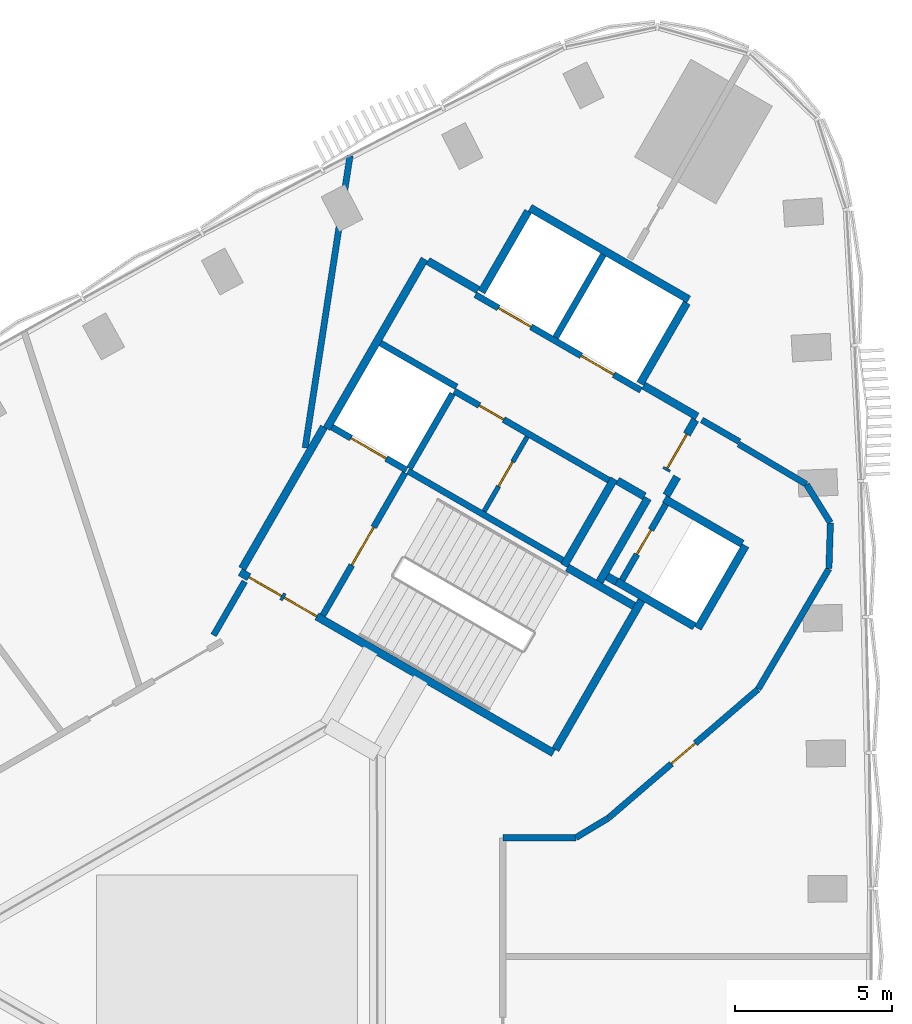
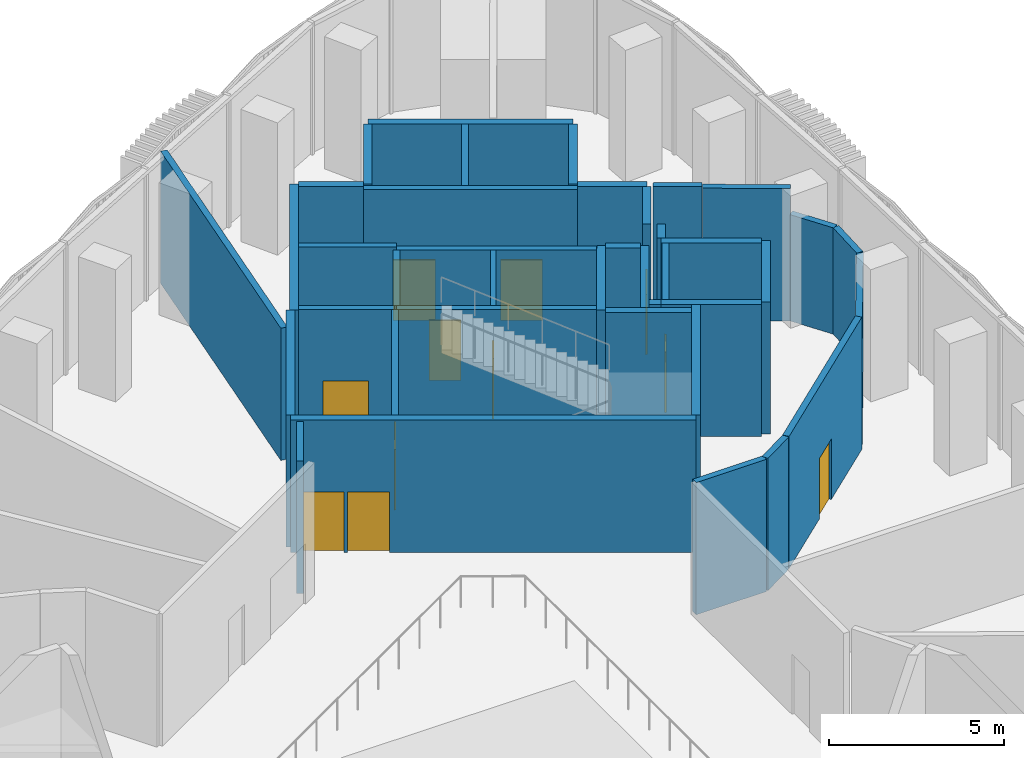
# One storey, part 10 of 17: 39 walls, 11 doors, 11 openings.
"""IFC4 building model written with IfcOpenShell, lengths in metres."""

from ifc_helpers import new_model, si_unit, direction, frame, frame_2d, origin, place, context, subcontext, project, spatial, rectangle, extrude, material, layer, layer_set, type_object, element, fill, save


model = new_model("IFC4")

# Units and contexts
model_context = context("Model", 3, precision=1e-05, world=origin(), true_north=direction((0.0, 1.0)))
body_context = subcontext(model_context, "Body", "Model", "MODEL_VIEW")
ifc_project = project(units=[si_unit("LENGTHUNIT", "METRE"), si_unit("AREAUNIT", "SQUARE_METRE"), si_unit("VOLUMEUNIT", "CUBIC_METRE"), si_unit("PLANEANGLEUNIT", "RADIAN"), si_unit("MASSUNIT", "GRAM", prefix="KILO")], contexts=[model_context])

# Site, building, storey
site_placement = place(None, origin())
site = spatial("IfcSite", under=ifc_project, at=site_placement, CompositionType="ELEMENT")
building_placement = place(site_placement, origin())
building = spatial("IfcBuilding", under=site, at=building_placement, Name="Tamra Quay Hotel Tower", CompositionType="ELEMENT")
storey_placement = place(building_placement, frame((0.0, 0.0, 123.800048828125)))
storey = spatial("IfcBuildingStorey", under=building, at=storey_placement, Name="L30", CompositionType="ELEMENT", Elevation=123.800048828125)

# Wall, openings, doors
ifc_material_1 = material(Name="Concrete M70", Category="concrete")
ifc_layer_1 = layer(ifc_material_1, 0.199951171875)
ifc_layer_set_1 = layer_set([ifc_layer_1], Name="Concrete M70 core wall 200")
wall_type_1 = type_object("IfcWallType", Name="Concrete M70 core wall 200", PredefinedType="SHEAR", material=ifc_layer_set_1)
wall_1_placement = place(storey_placement, frame((13.209716796875, 18.07958984375, 0.0), z_axis=(0.0, 0.0, 1.0), x_axis=(-0.866030299012, 0.499991521122, 0.0)))
wall_1 = element("IfcWall", 1, at=wall_1_placement, inside=storey, type_object=wall_type_1, Name="CW2", PredefinedType="SHEAR", context=body_context, shape_type="SweptSolid", body=[
    extrude(rectangle(XDim=6.10009765625, YDim=0.199951171875, at=frame_2d((3.050048828125, 0.0))), origin(), (0.0, 0.0, 1.0), 4.599853515625),
])
opening_1_placement = place(wall_1_placement, frame((1.0, 0.0, 0.0)))
opening_1 = element("IfcOpeningElement", 2, at=opening_1_placement, cuts=wall_1, Name="Opening LD", PredefinedType="OPENING", context=body_context, shape_type="SweptSolid", body=[
    extrude(rectangle(XDim=1.199951171875, YDim=2.10009765625, at=frame_2d((0.60009765625, 1.050048828125))), frame((0.0, 0.10986328125, 0.0), z_axis=(0.0, -1.0, 0.0), x_axis=(1.0, 0.0, 0.0)), (0.0, 0.0, 1.0), 0.219970703125),
])
opening_2_placement = place(wall_1_placement, frame((4.05029296875, 0.0, 0.0)))
opening_2 = element("IfcOpeningElement", 3, at=opening_2_placement, cuts=wall_1, Name="Opening LD", PredefinedType="OPENING", context=body_context, shape_type="SweptSolid", body=[
    extrude(rectangle(XDim=1.199951171875, YDim=2.10009765625, at=frame_2d((0.60009765625, 1.050048828125))), frame((0.0, 0.10986328125, 0.0), z_axis=(0.0, -1.0, 0.0), x_axis=(1.0, 0.0, 0.0)), (0.0, 0.0, 1.0), 0.219970703125),
])
ifc_material_2 = material(Name="Landing door LD 1200 double door sliding")
door_type_1 = type_object("IfcDoorType", Name="Landing door LD 1200 double door sliding", OperationType="DOUBLE_DOOR_SLIDING", PredefinedType="DOOR", material=ifc_material_2)
door_1_placement = place(opening_1_placement, origin())
door_1 = element("IfcDoor", 4, at=door_1_placement, inside=storey, type_object=door_type_1, Name="LD", OperationType="DOUBLE_DOOR_SLIDING", OverallHeight=2.10009765625, OverallWidth=1.199951171875, PredefinedType="DOOR", context=body_context, shape_type="SweptSolid", body=[
    extrude(rectangle(XDim=1.199951171875, YDim=2.10009765625, at=frame_2d((0.60009765625, 1.050048828125))), frame((0.0, 0.02490234375, 0.0), z_axis=(0.0, -1.0, 0.0), x_axis=(1.0, 0.0, 0.0)), (0.0, 0.0, 1.0), 0.050048828125),
])
fill(opening_1, door_1)
door_2_placement = place(opening_2_placement, origin())
door_2 = element("IfcDoor", 5, at=door_2_placement, inside=storey, type_object=door_type_1, Name="LD", OperationType="DOUBLE_DOOR_SLIDING", OverallHeight=2.10009765625, OverallWidth=1.199951171875, PredefinedType="DOOR", context=body_context, shape_type="SweptSolid", body=[
    extrude(rectangle(XDim=1.199951171875, YDim=2.10009765625, at=frame_2d((0.60009765625, 1.050048828125))), frame((0.0, 0.02490234375, 0.0), z_axis=(0.0, -1.0, 0.0), x_axis=(1.0, 0.0, 0.0)), (0.0, 0.0, 1.0), 0.050048828125),
])
fill(opening_2, door_2)

# Wall
wall_2_placement = place(storey_placement, frame((5.774658203125, 15.501953125, 0.0), z_axis=(0.0, 0.0, 1.0), x_axis=(0.866020080793, -0.500009219579, 0.0)))
element("IfcWall", 6, at=wall_2_placement, inside=storey, type_object=wall_type_1, Name="CW2", PredefinedType="SHEAR", context=body_context, shape_type="SweptSolid", body=[
    extrude(rectangle(XDim=5.69921875, YDim=0.199951171875, at=frame_2d((2.849609375, 0.0))), origin(), (0.0, 0.0, 1.0), 4.599853515625),
])

# Wall, opening, door
wall_3_placement = place(storey_placement, frame((12.18505859375, 15.20703125, 0.0), z_axis=(0.0, 0.0, 1.0), x_axis=(-0.866020080793, 0.500009219579, 0.0)))
wall_3 = element("IfcWall", 7, at=wall_3_placement, inside=storey, type_object=wall_type_1, Name="CW2", PredefinedType="SHEAR", context=body_context, shape_type="SweptSolid", body=[
    extrude(rectangle(XDim=5.69921875, YDim=0.199951171875, at=frame_2d((2.849609375, 0.0))), origin(), (0.0, 0.0, 1.0), 4.599853515625),
])
opening_3_placement = place(wall_3_placement, frame((3.8740234375, 0.0, 0.0)))
opening_3 = element("IfcOpeningElement", 8, at=opening_3_placement, cuts=wall_3, Name="Opening D2", PredefinedType="OPENING", context=body_context, shape_type="SweptSolid", body=[
    extrude(rectangle(XDim=0.89990234375, YDim=2.10009765625, at=frame_2d((0.449951171875, 1.050048828125))), frame((0.0, 0.10986328125, 0.0), z_axis=(0.0, -1.0, 0.0), x_axis=(1.0, 0.0, 0.0)), (0.0, 0.0, 1.0), 0.219970703125),
])
ifc_material_3 = material(Name="Core door D2 900x2100 LH")
door_type_2 = type_object("IfcDoorType", Name="Core door D2 900x2100 LH", OperationType="NOTDEFINED", PredefinedType="DOOR", material=ifc_material_3)
door_3_placement = place(opening_3_placement, origin())
door_3 = element("IfcDoor", 9, at=door_3_placement, inside=storey, type_object=door_type_2, Name="D2", OperationType="SINGLE_SWING_LEFT", OverallHeight=2.10009765625, OverallWidth=0.89990234375, PredefinedType="DOOR", context=body_context, shape_type="SweptSolid", body=[
    extrude(rectangle(XDim=0.89990234375, YDim=2.10009765625, at=frame_2d((0.449951171875, 1.050048828125))), frame((0.0, 0.02490234375, 0.0), z_axis=(0.0, -1.0, 0.0), x_axis=(1.0, 0.0, 0.0)), (0.0, 0.0, 1.0), 0.050048828125),
])
fill(opening_3, door_3)

wall_4_placement = place(storey_placement, frame((3.056640625, 10.89453125, 0.0), z_axis=(0.0, 0.0, 1.0), x_axis=(0.499989418164, 0.866031513124, 0.0)))
wall_4 = element("IfcWall", 10, at=wall_4_placement, inside=storey, type_object=wall_type_1, Name="CW2", PredefinedType="SHEAR", context=body_context, shape_type="SweptSolid", body=[
    extrude(rectangle(XDim=5.2509765625, YDim=0.199951171875, at=frame_2d((2.62548828125, 0.0))), origin(), (0.0, 0.0, 1.0), 4.599853515625),
])
opening_4_placement = place(wall_4_placement, frame((1.84912109375, 0.0, 0.0)))
opening_4 = element("IfcOpeningElement", 11, at=opening_4_placement, cuts=wall_4, Name="Opening FD2", PredefinedType="OPENING", context=body_context, shape_type="SweptSolid", body=[
    extrude(rectangle(XDim=1.39990234375, YDim=2.10009765625, at=frame_2d((0.699951171875, 1.050048828125))), frame((0.0, 0.10986328125, 0.0), z_axis=(0.0, -1.0, 0.0), x_axis=(1.0, 0.0, 0.0)), (0.0, 0.0, 1.0), 0.219970703125),
])
ifc_material_4 = material(Name="Core door FD2 1400x2100 RH")
door_type_3 = type_object("IfcDoorType", Name="Core door FD2 1400x2100 RH", OperationType="NOTDEFINED", PredefinedType="DOOR", material=ifc_material_4)
door_4_placement = place(opening_4_placement, origin())
door_4 = element("IfcDoor", 12, at=door_4_placement, inside=storey, type_object=door_type_3, Name="FD2", OperationType="SINGLE_SWING_RIGHT", OverallHeight=2.10009765625, OverallWidth=1.39990234375, PredefinedType="DOOR", context=body_context, shape_type="SweptSolid", body=[
    extrude(rectangle(XDim=1.39990234375, YDim=2.10009765625, at=frame_2d((0.699951171875, 1.050048828125))), frame((0.0, 0.02490234375, 0.0), z_axis=(0.0, -1.0, 0.0), x_axis=(1.0, 0.0, 0.0)), (0.0, 0.0, 1.0), 0.050048828125),
])
fill(opening_4, door_4)

# Wall
wall_5_placement = place(storey_placement, frame((10.48876953125, 19.76708984375, 0.0), z_axis=(0.0, 0.0, 1.0), x_axis=(0.499946628782, 0.866056215479, 0.0)))
element("IfcWall", 13, at=wall_5_placement, inside=storey, type_object=wall_type_1, Name="CW2", PredefinedType="SHEAR", context=body_context, shape_type="SweptSolid", body=[
    extrude(rectangle(XDim=3.048095703125, YDim=0.199951171875, at=frame_2d((1.52392578125, 0.0))), origin(), (0.0, 0.0, 1.0), 4.599853515625),
])

# Wall, opening, door
wall_6_placement = place(storey_placement, frame((14.0078125, 14.442138671875, 0.0), z_axis=(0.0, 0.0, 1.0), x_axis=(-0.499986818241, -0.866033014143, 0.0)))
wall_6 = element("IfcWall", 14, at=wall_6_placement, inside=storey, type_object=wall_type_1, Name="CW2", PredefinedType="SHEAR", context=body_context, shape_type="SweptSolid", body=[
    extrude(rectangle(XDim=2.7978515625, YDim=0.199951171875, at=frame_2d((1.39892578125, 0.0))), origin(), (0.0, 0.0, 1.0), 4.599853515625),
])
opening_5_placement = place(wall_6_placement, frame((0.948974609375, 0.0, 0.0)))
opening_5 = element("IfcOpeningElement", 15, at=opening_5_placement, cuts=wall_6, Name="Opening D1", PredefinedType="OPENING", context=body_context, shape_type="SweptSolid", body=[
    extrude(rectangle(XDim=0.89990234375, YDim=2.10009765625, at=frame_2d((0.449951171875, 1.050048828125))), frame((0.0, 0.10986328125, 0.0), z_axis=(0.0, -1.0, 0.0), x_axis=(1.0, 0.0, 0.0)), (0.0, 0.0, 1.0), 0.219970703125),
])
ifc_material_5 = material(Name="Core door D1 900x2100 RH")
door_type_4 = type_object("IfcDoorType", Name="Core door D1 900x2100 RH", OperationType="NOTDEFINED", PredefinedType="DOOR", material=ifc_material_5)
door_5_placement = place(opening_5_placement, origin())
door_5 = element("IfcDoor", 16, at=door_5_placement, inside=storey, type_object=door_type_4, Name="D1", OperationType="SINGLE_SWING_RIGHT", OverallHeight=2.10009765625, OverallWidth=0.89990234375, PredefinedType="DOOR", context=body_context, shape_type="SweptSolid", body=[
    extrude(rectangle(XDim=0.89990234375, YDim=2.10009765625, at=frame_2d((0.449951171875, 1.050048828125))), frame((0.0, 0.02490234375, 0.0), z_axis=(0.0, -1.0, 0.0), x_axis=(1.0, 0.0, 0.0)), (0.0, 0.0, 1.0), 0.050048828125),
])
fill(opening_5, door_5)

# Wall
wall_7_placement = place(storey_placement, frame((7.199462890625, 17.969970703125, 0.0), z_axis=(0.0, 0.0, 1.0), x_axis=(-0.499968400327, -0.866043647095, 0.0)))
element("IfcWall", 17, at=wall_7_placement, inside=storey, type_object=wall_type_1, Name="CW2", PredefinedType="SHEAR", context=body_context, shape_type="SweptSolid", body=[
    extrude(rectangle(XDim=2.749755859375, YDim=0.199951171875, at=frame_2d((1.375, 0.0))), origin(), (0.0, 0.0, 1.0), 4.599853515625),
])

# Wall, opening, door
wall_8_placement = place(storey_placement, frame((5.72509765625, 15.530517578125, 0.0), z_axis=(0.0, 0.0, 1.0), x_axis=(-0.866037306777, 0.499979382845, 0.0)))
wall_8 = element("IfcWall", 18, at=wall_8_placement, inside=storey, type_object=wall_type_1, Name="CW2", PredefinedType="SHEAR", context=body_context, shape_type="SweptSolid", body=[
    extrude(rectangle(XDim=2.74169921875, YDim=0.199951171875, at=frame_2d((1.370849609375, 0.0))), origin(), (0.0, 0.0, 1.0), 4.599853515625),
])
opening_6_placement = place(wall_8_placement, frame((0.742919921875, 0.0, 0.0)))
opening_6 = element("IfcOpeningElement", 19, at=opening_6_placement, cuts=wall_8, Name="Opening LD", PredefinedType="OPENING", context=body_context, shape_type="SweptSolid", body=[
    extrude(rectangle(XDim=1.300048828125, YDim=2.10009765625, at=frame_2d((0.64990234375, 1.050048828125))), frame((0.0, 0.10986328125, 0.0), z_axis=(0.0, -1.0, 0.0), x_axis=(1.0, 0.0, 0.0)), (0.0, 0.0, 1.0), 0.219970703125),
])
ifc_material_6 = material(Name="Landing door LD 1300 sliding to right")
door_type_5 = type_object("IfcDoorType", Name="Landing door LD 1300 sliding to right", OperationType="NOTDEFINED", PredefinedType="DOOR", material=ifc_material_6)
door_6_placement = place(opening_6_placement, origin())
door_6 = element("IfcDoor", 20, at=door_6_placement, inside=storey, type_object=door_type_5, Name="LD", OperationType="SLIDING_TO_RIGHT", OverallHeight=2.10009765625, OverallWidth=1.300048828125, PredefinedType="DOOR", context=body_context, shape_type="SweptSolid", body=[
    extrude(rectangle(XDim=1.300048828125, YDim=2.10009765625, at=frame_2d((0.64990234375, 1.050048828125))), frame((0.0, 0.02490234375, 0.0), z_axis=(0.0, -1.0, 0.0), x_axis=(1.0, 0.0, 0.0)), (0.0, 0.0, 1.0), 0.050048828125),
])
fill(opening_6, door_6)

# Wall
wall_9_placement = place(storey_placement, frame((4.900634765625, 19.5859375, 0.0), z_axis=(0.0, 0.0, 1.0), x_axis=(0.866022890907, -0.500004352405, 0.0)))
element("IfcWall", 21, at=wall_9_placement, inside=storey, type_object=wall_type_1, Name="CW2", PredefinedType="SHEAR", context=body_context, shape_type="SweptSolid", body=[
    extrude(rectangle(XDim=2.798828125, YDim=0.199951171875, at=frame_2d((1.3994140625, 0.0))), origin(), (0.0, 0.0, 1.0), 4.599853515625),
])

# Wall, openings, doors
ifc_layer_2 = layer(ifc_material_1, 0.25)
ifc_layer_set_2 = layer_set([ifc_layer_2], Name="Concrete M70 core wall 250")
wall_type_2 = type_object("IfcWallType", Name="Concrete M70 core wall 250", PredefinedType="SHEAR", material=ifc_layer_set_2)
wall_10_placement = place(storey_placement, frame((10.419921875, 6.497802734375, 0.0), z_axis=(0.0, 0.0, 1.0), x_axis=(-0.866021906294, 0.500006057782, 0.0)))
wall_10 = element("IfcWall", 22, at=wall_10_placement, inside=storey, type_object=wall_type_2, Name="CW1", PredefinedType="SHEAR", context=body_context, shape_type="SweptSolid", body=[
    extrude(rectangle(XDim=11.550048828125, YDim=0.25, at=frame_2d((5.77490234375, 0.0))), origin(), (0.0, 0.0, 1.0), 4.599853515625),
])
opening_7_placement = place(wall_10_placement, frame((10.02490234375, 0.0, 0.0)))
opening_7 = element("IfcOpeningElement", 23, at=opening_7_placement, cuts=wall_10, Name="Opening FD1", PredefinedType="OPENING", context=body_context, shape_type="SweptSolid", body=[
    extrude(rectangle(XDim=1.199951171875, YDim=2.10009765625, at=frame_2d((0.60009765625, 1.050048828125))), frame((0.0, 0.135009765625, 0.0), z_axis=(0.0, -1.0, 0.0), x_axis=(1.0, 0.0, 0.0)), (0.0, 0.0, 1.0), 0.27001953125),
])
opening_8_placement = place(wall_10_placement, frame((8.724853515625, 0.0, 0.0)))
opening_8 = element("IfcOpeningElement", 24, at=opening_8_placement, cuts=wall_10, Name="Opening FD1", PredefinedType="OPENING", context=body_context, shape_type="SweptSolid", body=[
    extrude(rectangle(XDim=1.199951171875, YDim=2.10009765625, at=frame_2d((0.60009765625, 1.050048828125))), frame((0.0, 0.135009765625, 0.0), z_axis=(0.0, -1.0, 0.0), x_axis=(1.0, 0.0, 0.0)), (0.0, 0.0, 1.0), 0.27001953125),
])
ifc_material_7 = material(Name="Core door FD1 1200x2100 LH")
door_type_6 = type_object("IfcDoorType", Name="Core door FD1 1200x2100 LH", OperationType="NOTDEFINED", PredefinedType="DOOR", material=ifc_material_7)
door_7_placement = place(opening_7_placement, origin())
door_7 = element("IfcDoor", 25, at=door_7_placement, inside=storey, type_object=door_type_6, Name="FD1", OperationType="SINGLE_SWING_LEFT", OverallHeight=2.10009765625, OverallWidth=1.199951171875, PredefinedType="DOOR", context=body_context, shape_type="SweptSolid", body=[
    extrude(rectangle(XDim=1.199951171875, YDim=2.10009765625, at=frame_2d((0.60009765625, 1.050048828125))), frame((0.0, 0.02490234375, 0.0), z_axis=(0.0, -1.0, 0.0), x_axis=(1.0, 0.0, 0.0)), (0.0, 0.0, 1.0), 0.050048828125),
])
fill(opening_7, door_7)
ifc_material_8 = material(Name="Core door FD1 1200x2100 RH")
door_type_7 = type_object("IfcDoorType", Name="Core door FD1 1200x2100 RH", OperationType="NOTDEFINED", PredefinedType="DOOR", material=ifc_material_8)
door_8_placement = place(opening_8_placement, origin())
door_8 = element("IfcDoor", 26, at=door_8_placement, inside=storey, type_object=door_type_7, Name="FD1", OperationType="SINGLE_SWING_RIGHT", OverallHeight=2.10009765625, OverallWidth=1.199951171875, PredefinedType="DOOR", context=body_context, shape_type="SweptSolid", body=[
    extrude(rectangle(XDim=1.199951171875, YDim=2.10009765625, at=frame_2d((0.60009765625, 1.050048828125))), frame((0.0, 0.02490234375, 0.0), z_axis=(0.0, -1.0, 0.0), x_axis=(1.0, 0.0, 0.0)), (0.0, 0.0, 1.0), 0.050048828125),
])
fill(opening_8, door_8)

# Walls
wall_11_placement = place(storey_placement, frame((3.178955078125, 16.856201171875, 0.0), z_axis=(0.0, 0.0, 1.0), x_axis=(0.500004234368, 0.866022959057, 0.0)))
element("IfcWall", 27, at=wall_11_placement, inside=storey, type_object=wall_type_2, Name="CW1", PredefinedType="SHEAR", context=body_context, shape_type="SweptSolid", body=[
    extrude(rectangle(XDim=6.25, YDim=0.25, at=frame_2d((3.125, 0.0))), origin(), (0.0, 0.0, 1.0), 4.599853515625),
])
wall_12_placement = place(storey_placement, frame((9.672607421875, 23.9033203125, 0.0), z_axis=(0.0, 0.0, 1.0), x_axis=(0.86603616409, -0.499981362141, 0.0)))
element("IfcWall", 28, at=wall_12_placement, inside=storey, type_object=wall_type_2, Name="CW1", PredefinedType="SHEAR", context=body_context, shape_type="SweptSolid", body=[
    extrude(rectangle(XDim=5.849853515625, YDim=0.25, at=frame_2d((2.9248046875, 0.0))), origin(), (0.0, 0.0, 1.0), 4.599853515625),
])
wall_13_placement = place(storey_placement, frame((0.47998046875, 12.38134765625, 0.0), z_axis=(0.0, 0.0, 1.0), x_axis=(0.49999885962, 0.866026062182, 0.0)))
element("IfcWall", 29, at=wall_13_placement, inside=storey, type_object=wall_type_2, Name="CW1", PredefinedType="SHEAR", context=body_context, shape_type="SweptSolid", body=[
    extrude(rectangle(XDim=5.224609375, YDim=0.25, at=frame_2d((2.6123046875, 0.0))), origin(), (0.0, 0.0, 1.0), 4.599853515625),
])
wall_14_placement = place(storey_placement, frame((13.237548828125, 11.3779296875, 0.0), z_axis=(0.0, 0.0, 1.0), x_axis=(-0.500008851346, -0.866020293397, 0.0)))
element("IfcWall", 30, at=wall_14_placement, inside=storey, type_object=wall_type_2, Name="CW1", PredefinedType="SHEAR", context=body_context, shape_type="SweptSolid", body=[
    extrude(rectangle(XDim=5.509765625, YDim=0.25, at=frame_2d((2.7548828125, 0.0))), origin(), (0.0, 0.0, 1.0), 4.599853515625),
])
wall_15_placement = place(storey_placement, frame((12.356689453125, 15.25244140625, 0.0), z_axis=(0.0, 0.0, 1.0), x_axis=(-0.500028443584, -0.866008981251, 0.0)))
element("IfcWall", 31, at=wall_15_placement, inside=storey, type_object=wall_type_2, Name="CW1", PredefinedType="SHEAR", context=body_context, shape_type="SweptSolid", body=[
    extrude(rectangle(XDim=3.199951171875, YDim=0.25, at=frame_2d((1.60009765625, 0.0))), origin(), (0.0, 0.0, 1.0), 4.599853515625),
])
for number, where, z_axis, x_axis, name in (
    (32, (8.12255859375, 21.21875, 0.0), (0.0, 0.0, 1.0), (0.499987686533, 0.866032512851, 0.0), "CW1"),
    (33, (14.67626953125, 20.869873046875, 0.0), (0.0, 0.0, 1.0), (-0.499987686533, -0.866032512851, 0.0), "CW1"),
):
    element("IfcWall", number, at=place(storey_placement, frame(where, z_axis=z_axis, x_axis=x_axis)), inside=storey, type_object=wall_type_2, Name=name, PredefinedType="SHEAR", context=body_context, shape_type="SweptSolid", body=[
        extrude(rectangle(XDim=2.974609375, YDim=0.25, at=frame_2d((1.4873046875, 0.0))), origin(), (0.0, 0.0, 1.0), 4.599853515625),
    ])
wall_16_placement = place(storey_placement, frame((16.552001953125, 13.118896484375, 0.0), z_axis=(0.0, 0.0, 1.0), x_axis=(-0.499978833458, -0.866037623948, 0.0)))
element("IfcWall", 34, at=wall_16_placement, inside=storey, type_object=wall_type_2, Name="CW1", PredefinedType="SHEAR", context=body_context, shape_type="SweptSolid", body=[
    extrude(rectangle(XDim=3.050048828125, YDim=0.25, at=frame_2d((1.52490234375, 0.0))), origin(), (0.0, 0.0, 1.0), 4.599853515625),
])
wall_17_placement = place(storey_placement, frame((14.91845703125, 10.540283203125, 0.0), z_axis=(0.0, 0.0, 1.0), x_axis=(-0.866063538972, 0.499933942099, 0.0)))
element("IfcWall", 35, at=wall_17_placement, inside=storey, type_object=wall_type_2, Name="CW1", PredefinedType="SHEAR", context=body_context, shape_type="SweptSolid", body=[
    extrude(rectangle(XDim=2.86474609375, YDim=0.25, at=frame_2d((1.432373046875, 0.0))), origin(), (0.0, 0.0, 1.0), 4.599853515625),
])
wall_18_placement = place(storey_placement, frame((13.962646484375, 14.61376953125, 0.0), z_axis=(0.0, 0.0, 1.0), x_axis=(0.866042235819, -0.499970844928, 0.0)))
element("IfcWall", 36, at=wall_18_placement, inside=storey, type_object=wall_type_2, Name="CW1", PredefinedType="SHEAR", context=body_context, shape_type="SweptSolid", body=[
    extrude(rectangle(XDim=2.864501953125, YDim=0.25, at=frame_2d((1.43212890625, 0.0))), origin(), (0.0, 0.0, 1.0), 4.599853515625),
])
wall_19_placement = place(storey_placement, frame((11.887939453125, 11.960693359375, 0.0), z_axis=(0.0, 0.0, 1.0), x_axis=(0.500003324108, 0.866023484601, 0.0)))
element("IfcWall", 37, at=wall_19_placement, inside=storey, type_object=wall_type_2, Name="CW1", PredefinedType="SHEAR", context=body_context, shape_type="SweptSolid", body=[
    extrude(rectangle(XDim=3.0849609375, YDim=0.25, at=frame_2d((1.54248046875, 0.0))), origin(), (0.0, 0.0, 1.0), 4.599853515625),
])
wall_20_placement = place(storey_placement, frame((10.865234375, 12.41845703125, 0.0), z_axis=(0.0, 0.0, 1.0), x_axis=(0.866026229868, -0.499998569178, 0.0)))
element("IfcWall", 38, at=wall_20_placement, inside=storey, type_object=wall_type_2, Name="CW1", PredefinedType="SHEAR", context=body_context, shape_type="SweptSolid", body=[
    extrude(rectangle(XDim=2.44921875, YDim=0.25, at=frame_2d((1.224609375, 0.0))), origin(), (0.0, 0.0, 1.0), 4.599853515625),
])
wall_21_placement = place(storey_placement, frame((13.29736328125, 18.23095703125, 0.0), z_axis=(0.0, 0.0, 1.0), x_axis=(0.866043531843, -0.499968599967, 0.0)))
element("IfcWall", 39, at=wall_21_placement, inside=storey, type_object=wall_type_2, Name="CW1", PredefinedType="SHEAR", context=body_context, shape_type="SweptSolid", body=[
    extrude(rectangle(XDim=1.974853515625, YDim=0.25, at=frame_2d((0.9873046875, 0.0))), origin(), (0.0, 0.0, 1.0), 4.599853515625),
])
wall_22_placement = place(storey_placement, frame((6.41259765625, 22.2060546875, 0.0), z_axis=(0.0, 0.0, 1.0), x_axis=(0.866016279763, -0.500015802937, 0.0)))
element("IfcWall", 40, at=wall_22_placement, inside=storey, type_object=wall_type_2, Name="CW1", PredefinedType="SHEAR", context=body_context, shape_type="SweptSolid", body=[
    extrude(rectangle(XDim=1.84912109375, YDim=0.25, at=frame_2d((0.924560546875, 0.0))), origin(), (0.0, 0.0, 1.0), 4.599853515625),
])

# Wall, opening, door
wall_23_placement = place(storey_placement, frame((14.94482421875, 17.13525390625, 0.0), z_axis=(0.0, 0.0, 1.0), x_axis=(-0.499983108224, -0.866035156036, 0.0)))
wall_23 = element("IfcWall", 41, at=wall_23_placement, inside=storey, type_object=wall_type_2, Name="CW1", PredefinedType="SHEAR", context=body_context, shape_type="SweptSolid", body=[
    extrude(rectangle(XDim=1.86474609375, YDim=0.25, at=frame_2d((0.932373046875, 0.0))), origin(), (0.0, 0.0, 1.0), 4.599853515625),
])
opening_9_placement = place(wall_23_placement, frame((0.53466796875, 0.0, 0.0)))
opening_9 = element("IfcOpeningElement", 42, at=opening_9_placement, cuts=wall_23, Name="Opening FD3", PredefinedType="OPENING", context=body_context, shape_type="SweptSolid", body=[
    extrude(rectangle(XDim=1.25, YDim=2.10009765625, at=frame_2d((0.625, 1.050048828125))), frame((0.0, 0.135009765625, 0.0), z_axis=(0.0, -1.0, 0.0), x_axis=(1.0, 0.0, 0.0)), (0.0, 0.0, 1.0), 0.27001953125),
])
ifc_material_9 = material(Name="Core door FD3 1250x2100 LH")
door_type_8 = type_object("IfcDoorType", Name="Core door FD3 1250x2100 LH", OperationType="NOTDEFINED", PredefinedType="DOOR", material=ifc_material_9)
door_9_placement = place(opening_9_placement, origin())
door_9 = element("IfcDoor", 43, at=door_9_placement, inside=storey, type_object=door_type_8, Name="FD3", OperationType="SINGLE_SWING_LEFT", OverallHeight=2.10009765625, OverallWidth=1.25, PredefinedType="DOOR", context=body_context, shape_type="SweptSolid", body=[
    extrude(rectangle(XDim=1.25, YDim=2.10009765625, at=frame_2d((0.625, 1.050048828125))), frame((0.0, 0.02490234375, 0.0), z_axis=(0.0, -1.0, 0.0), x_axis=(1.0, 0.0, 0.0)), (0.0, 0.0, 1.0), 0.050048828125),
])
fill(opening_9, door_9)

# Walls
wall_24_placement = place(storey_placement, frame((13.322021484375, 14.695068359375, 0.0), z_axis=(0.0, 0.0, 1.0), x_axis=(-0.866017078145, 0.500014420154, 0.0)))
element("IfcWall", 44, at=wall_24_placement, inside=storey, type_object=wall_type_2, Name="CW1", PredefinedType="SHEAR", context=body_context, shape_type="SweptSolid", body=[
    extrude(rectangle(XDim=0.9892578125, YDim=0.25, at=frame_2d((0.49462890625, 0.0))), origin(), (0.0, 0.0, 1.0), 4.599853515625),
])
wall_25_placement = place(storey_placement, frame((14.36767578125, 15.3154296875, 0.0), z_axis=(0.0, 0.0, 1.0), x_axis=(-0.499897359611, -0.866084655132, 0.0)))
element("IfcWall", 45, at=wall_25_placement, inside=storey, type_object=wall_type_2, Name="CW1", PredefinedType="SHEAR", context=body_context, shape_type="SweptSolid", body=[
    extrude(rectangle(XDim=0.684814453125, YDim=0.25, at=frame_2d((0.34228515625, 0.0))), origin(), (0.0, 0.0, 1.0), 4.599853515625),
])
wall_26_placement = place(storey_placement, frame((12.4326171875, 11.9638671875, 0.0), z_axis=(0.0, 0.0, 1.0), x_axis=(-0.866055875208, 0.499947218231, 0.0)))
element("IfcWall", 46, at=wall_26_placement, inside=storey, type_object=wall_type_2, Name="CW1", PredefinedType="SHEAR", context=body_context, shape_type="SweptSolid", body=[
    extrude(rectangle(XDim=0.3447265625, YDim=0.25, at=frame_2d((0.17236328125, 0.0))), origin(), (0.0, 0.0, 1.0), 4.599853515625),
])

# Wall, opening, door
ifc_material_10 = material(Name="Blockwork", Category="masonry")
ifc_layer_3 = layer(ifc_material_10, 0.14990234375)
ifc_layer_set_3 = layer_set([ifc_layer_3], Name="Core partition block 150")
wall_type_3 = type_object("IfcWallType", Name="Core partition block 150", PredefinedType="PARTITIONING", material=ifc_layer_set_3)
wall_27_placement = place(storey_placement, frame((8.20654296875, 14.214111328125, 0.0), z_axis=(0.0, 0.0, 1.0), x_axis=(0.499922376475, 0.866070215109, 0.0)))
wall_27 = element("IfcWall", 47, at=wall_27_placement, inside=storey, type_object=wall_type_3, Name="CP1", PredefinedType="PARTITIONING", context=body_context, shape_type="SweptSolid", body=[
    extrude(rectangle(XDim=2.74853515625, YDim=0.14990234375, at=frame_2d((1.374267578125, 0.0))), origin(), (0.0, 0.0, 1.0), 4.599853515625),
])
opening_10_placement = place(wall_27_placement, frame((0.92431640625, 0.0, 0.0)))
opening_10 = element("IfcOpeningElement", 48, at=opening_10_placement, cuts=wall_27, Name="Opening D2", PredefinedType="OPENING", context=body_context, shape_type="SweptSolid", body=[
    extrude(rectangle(XDim=0.89990234375, YDim=2.10009765625, at=frame_2d((0.449951171875, 1.050048828125))), frame((0.0, 0.0849609375, 0.0), z_axis=(0.0, -1.0, 0.0), x_axis=(1.0, 0.0, 0.0)), (0.0, 0.0, 1.0), 0.169921875),
])
door_10_placement = place(opening_10_placement, origin())
door_10 = element("IfcDoor", 49, at=door_10_placement, inside=storey, type_object=door_type_2, Name="D2", OperationType="SINGLE_SWING_LEFT", OverallHeight=2.10009765625, OverallWidth=0.89990234375, PredefinedType="DOOR", context=body_context, shape_type="SweptSolid", body=[
    extrude(rectangle(XDim=0.89990234375, YDim=2.10009765625, at=frame_2d((0.449951171875, 1.050048828125))), frame((0.0, 0.02490234375, 0.0), z_axis=(0.0, -1.0, 0.0), x_axis=(1.0, 0.0, 0.0)), (0.0, 0.0, 1.0), 0.050048828125),
])
fill(opening_10, door_10)

# Walls
ifc_material_11 = material(Name="Partition corridor wall")
ifc_layer_4 = layer(ifc_material_11, 0.199951171875)
ifc_layer_set_4 = layer_set([ifc_layer_4], Name="Partition corridor wall")
wall_type_4 = type_object("IfcWallType", Name="Partition corridor wall", PredefinedType="PARTITIONING", material=ifc_layer_set_4)
wall_28_placement = place(storey_placement, frame((-0.429931640625, 10.259033203125, 0.0), z_axis=(0.0, 0.0, 1.0), x_axis=(0.500283752163, 0.865861517404, 0.0)))
element("IfcWall", 50, at=wall_28_placement, inside=storey, type_object=wall_type_4, Name="W-C", PredefinedType="PARTITIONING", context=body_context, shape_type="SweptSolid", body=[
    extrude(rectangle(XDim=1.982666015625, YDim=0.199951171875, at=frame_2d((0.9912109375, 0.0))), origin(), (0.0, 0.0, 1.0), 4.599853515625),
])
wall_29_placement = place(storey_placement, frame((8.81005859375, 3.7939453125, 0.0), z_axis=(0.0, 0.0, 1.0), x_axis=(1.0, 0.0, 0.0)))
element("IfcWall", 51, at=wall_29_placement, inside=storey, type_object=wall_type_4, Name="W-C", PredefinedType="PARTITIONING", context=body_context, shape_type="SweptSolid", body=[
    extrude(rectangle(XDim=2.322021484375, YDim=0.199951171875, at=frame_2d((1.1611328125, 0.0))), origin(), (0.0, 0.0, 1.0), 4.599853515625),
])
wall_30_placement = place(storey_placement, frame((11.135986328125, 3.797119140625, 0.0), z_axis=(0.0, 0.0, 1.0), x_axis=(0.856426766029, 0.516268529381, 0.0)))
element("IfcWall", 52, at=wall_30_placement, inside=storey, type_object=wall_type_4, Name="W-C", PredefinedType="PARTITIONING", context=body_context, shape_type="SweptSolid", body=[
    extrude(rectangle(XDim=1.21435546875, YDim=0.199951171875, at=frame_2d((0.607177734375, 0.0))), origin(), (0.0, 0.0, 1.0), 4.599853515625),
])

# Wall, opening, door
wall_31_placement = place(storey_placement, frame((12.18701171875, 4.43310546875, 0.0), z_axis=(0.0, 0.0, 1.0), x_axis=(0.757934867899, 0.652330235405, 0.0)))
wall_31 = element("IfcWall", 53, at=wall_31_placement, inside=storey, type_object=wall_type_4, Name="W-C", PredefinedType="PARTITIONING", context=body_context, shape_type="SweptSolid", body=[
    extrude(rectangle(XDim=6.279052734375, YDim=0.199951171875, at=frame_2d((3.1396484375, 0.0))), origin(), (0.0, 0.0, 1.0), 4.599853515625),
])
opening_11_placement = place(wall_31_placement, frame((2.639404296875, 0.0, 0.0)))
opening_11 = element("IfcOpeningElement", 54, at=opening_11_placement, cuts=wall_31, Name="Opening L30-D001", PredefinedType="OPENING", context=body_context, shape_type="SweptSolid", body=[
    extrude(rectangle(XDim=1.0, YDim=2.10009765625, at=frame_2d((0.5, 1.050048828125))), frame((0.0, 0.10986328125, 0.0), z_axis=(0.0, -1.0, 0.0), x_axis=(1.0, 0.0, 0.0)), (0.0, 0.0, 1.0), 0.219970703125),
])
ifc_material_12 = material(Name="Door guest room 1000x2100")
door_type_9 = type_object("IfcDoorType", Name="Door guest room 1000x2100", OperationType="NOTDEFINED", PredefinedType="DOOR", material=ifc_material_12)
door_11_placement = place(opening_11_placement, origin())
door_11 = element("IfcDoor", 55, at=door_11_placement, inside=storey, type_object=door_type_9, Name="L30-D001", OperationType="SINGLE_SWING_LEFT", OverallHeight=2.10009765625, OverallWidth=1.0, PredefinedType="DOOR", context=body_context, shape_type="SweptSolid", body=[
    extrude(rectangle(XDim=1.0, YDim=2.10009765625, at=frame_2d((0.5, 1.050048828125))), frame((0.0, 0.02490234375, 0.0), z_axis=(0.0, -1.0, 0.0), x_axis=(1.0, 0.0, 0.0)), (0.0, 0.0, 1.0), 0.050048828125),
])
fill(opening_11, door_11)

# Walls
wall_32_placement = place(storey_placement, frame((15.15576171875, 17.130615234375, 0.0), z_axis=(0.0, 0.0, 1.0), x_axis=(0.865639364436, -0.500668044455, 0.0)))
element("IfcWall", 56, at=wall_32_placement, inside=storey, type_object=wall_type_4, Name="W-C", PredefinedType="PARTITIONING", context=body_context, shape_type="SweptSolid", body=[
    extrude(rectangle(XDim=1.38525390625, YDim=0.199951171875, at=frame_2d((0.692626953125, 0.0))), origin(), (0.0, 0.0, 1.0), 4.599853515625),
])
wall_33_placement = place(storey_placement, frame((16.3310546875, 16.362060546875, 0.0), z_axis=(0.0, 0.0, 1.0), x_axis=(0.859936072859, -0.510401754107, 0.0)))
element("IfcWall", 57, at=wall_33_placement, inside=storey, type_object=wall_type_4, Name="W-C", PredefinedType="PARTITIONING", context=body_context, shape_type="SweptSolid", body=[
    extrude(rectangle(XDim=2.51171875, YDim=0.199951171875, at=frame_2d((1.255859375, 0.0))), origin(), (0.0, 0.0, 1.0), 4.599853515625),
])
wall_34_placement = place(storey_placement, frame((16.9560546875, 8.5400390625, 0.0), z_axis=(0.0, 0.0, 1.0), x_axis=(0.506799683615, 0.862063849542, 0.0)))
element("IfcWall", 58, at=wall_34_placement, inside=storey, type_object=wall_type_4, Name="W-C", PredefinedType="PARTITIONING", context=body_context, shape_type="SweptSolid", body=[
    extrude(rectangle(XDim=4.453125, YDim=0.199951171875, at=frame_2d((2.2265625, 0.0))), origin(), (0.0, 0.0, 1.0), 3.699951171875),
])
wall_35_placement = place(storey_placement, frame((18.4990234375, 15.072021484375, 0.0), z_axis=(0.0, 0.0, 1.0), x_axis=(0.528576945796, -0.848885394133, 0.0)))
element("IfcWall", 59, at=wall_35_placement, inside=storey, type_object=wall_type_4, Name="W-C", PredefinedType="PARTITIONING", context=body_context, shape_type="SweptSolid", body=[
    extrude(rectangle(XDim=1.43603515625, YDim=0.199951171875, at=frame_2d((0.718017578125, 0.0))), origin(), (0.0, 0.0, 1.0), 3.699951171875),
])
wall_36_placement = place(storey_placement, frame((19.214111328125, 12.385009765625, 0.0), z_axis=(0.0, 0.0, 1.0), x_axis=(0.032802164331, 0.999461864213, 0.0)))
element("IfcWall", 60, at=wall_36_placement, inside=storey, type_object=wall_type_4, Name="W-C", PredefinedType="PARTITIONING", context=body_context, shape_type="SweptSolid", body=[
    extrude(rectangle(XDim=1.458740234375, YDim=0.199951171875, at=frame_2d((0.7294921875, 0.0))), origin(), (0.0, 0.0, 1.0), 3.699951171875),
])
ifc_material_13 = material(Name="Partition party wall")
ifc_layer_5 = layer(ifc_material_13, 0.199951171875)
ifc_layer_set_5 = layer_set([ifc_layer_5], Name="Partition party wall")
wall_type_5 = type_object("IfcWallType", Name="Partition party wall", PredefinedType="PARTITIONING", material=ifc_layer_set_5)
wall_37_placement = place(storey_placement, frame((2.4921875, 16.236328125, 0.0), z_axis=(0.0, 0.0, 1.0), x_axis=(0.151721108942, 0.988423343058, 0.0)))
element("IfcWall", 61, at=wall_37_placement, inside=storey, type_object=wall_type_5, Name="W-P", PredefinedType="PARTITIONING", context=body_context, shape_type="SweptSolid", body=[
    extrude(rectangle(XDim=9.444091796875, YDim=0.199951171875, at=frame_2d((4.72216796875, 0.0))), origin(), (0.0, 0.0, 1.0), 4.599853515625),
])

save(model, "model.ifc")
